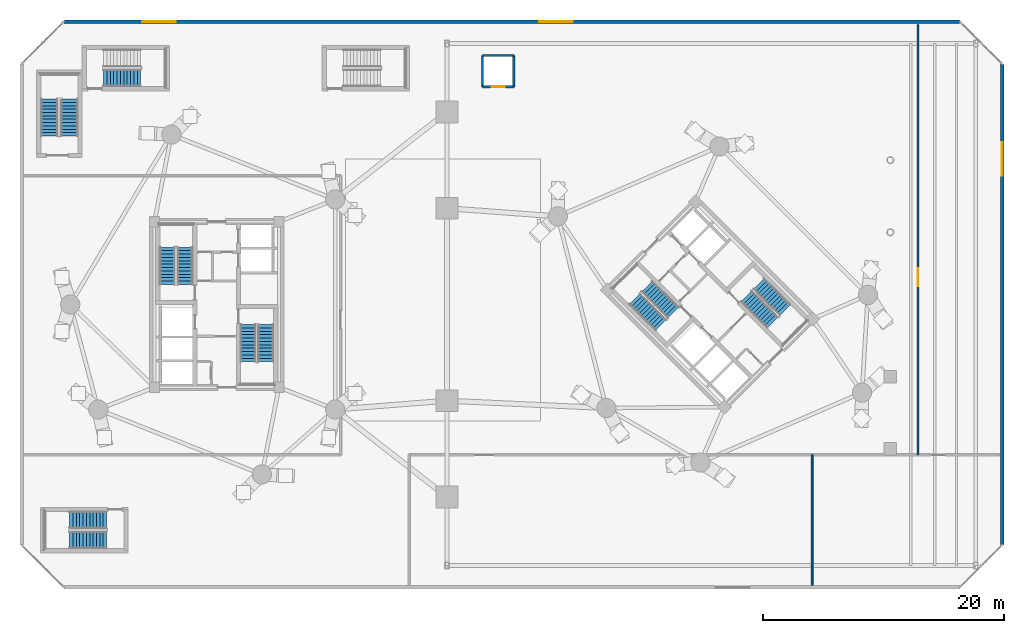
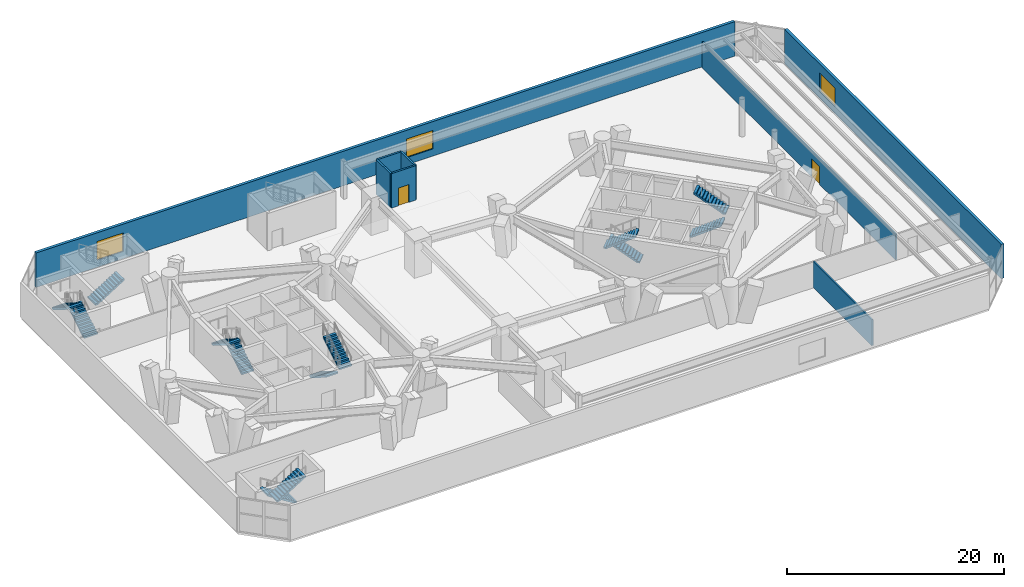
# One storey, part 14 of 20: 13 stair flights, 8 walls, 3 windows, 2 doors, 5 openings, 7 elements without a shape of their own.
"""IFC4 building model written with IfcOpenShell, lengths in metres."""

from ifc_helpers import new_model, si_unit, direction, frame, frame_2d, origin, place, context, subcontext, project, spatial, polyline, rectangle, outline, extrude, source, transform, mapped, material, layer, layer_set, type_object, element, fill, aggregate, save


model = new_model("IFC4")

# Units and contexts
model_context = context("Model", 3, precision=1e-05, world=origin(), true_north=direction((0.0, 1.0)))
body_context = subcontext(model_context, "Body", "Model", "MODEL_VIEW")
ifc_project = project(units=[si_unit("LENGTHUNIT", "METRE"), si_unit("AREAUNIT", "SQUARE_METRE"), si_unit("VOLUMEUNIT", "CUBIC_METRE"), si_unit("PLANEANGLEUNIT", "RADIAN"), si_unit("MASSUNIT", "GRAM", prefix="KILO")], contexts=[model_context])

# Site, building, storey
site_placement = place(None, origin())
site = spatial("IfcSite", under=ifc_project, at=site_placement, CompositionType="ELEMENT")
building_placement = place(site_placement, origin())
building = spatial("IfcBuilding", under=site, at=building_placement, Name="Cununo Teusaquillo Station Towers", CompositionType="ELEMENT")
storey_placement = place(building_placement, frame((0.0, 0.0, 4.800048828125)))
storey = spatial("IfcBuildingStorey", under=building, at=storey_placement, Name="L01", CompositionType="ELEMENT", Elevation=4.800048828125)

# Wall, openings, windows
ifc_material_1 = material(Name="Precast concrete C40/50", Category="concrete")
ifc_layer_1 = layer(ifc_material_1, 0.300048828125)
ifc_layer_set_1 = layer_set([ifc_layer_1], Name="Precast concrete C40/50")
wall_type_1 = type_object("IfcWallType", Name="WL-EXT-300", PredefinedType="SOLIDWALL", material=ifc_layer_set_1)
wall_1_placement = place(storey_placement, frame((3.800048828125, 48.0, 0.0), z_axis=(0.0, 0.0, 1.0), x_axis=(1.0, 0.0, 0.0)))
wall_1 = element("IfcWall", 1, at=wall_1_placement, inside=storey, type_object=wall_type_1, Name="L01 Station Podium Facade Wall 3", PredefinedType="SOLIDWALL", context=body_context, shape_type="SweptSolid", body=[
    extrude(rectangle(XDim=74.5, YDim=0.300048828125, at=frame_2d((37.25, 0.0))), origin(), (0.0, 0.0, 1.0), 3.885009765625),
])
shared_shape_1 = source(origin(), body_context, "Body", "SweptSolid", [
    extrude(rectangle(XDim=2.800048828125, YDim=2.10009765625, at=frame_2d((1.39990234375, 1.050048828125))), frame((0.0, 0.159912109375, 0.0), z_axis=(0.0, -1.0, 0.0), x_axis=(1.0, 0.0, 0.0)), (0.0, 0.0, 1.0), 0.320068359375),
])
opening_1_placement = place(wall_1_placement, frame((6.5, 0.0, 0.800048828125)))
opening_1 = element("IfcOpeningElement", 2, at=opening_1_placement, cuts=wall_1, Name="Opening WN-05", PredefinedType="OPENING", context=body_context, shape_type="MappedRepresentation", body=[
    mapped(shared_shape_1, transform((0.0, 0.0, 0.0), x_axis=(1.0, 0.0, 0.0), y_axis=(0.0, 1.0, 0.0), z_axis=(0.0, 0.0, 1.0), scale=1.0)),
])
opening_2_placement = place(wall_1_placement, frame((39.5, 0.0, 0.800048828125)))
opening_2 = element("IfcOpeningElement", 3, at=opening_2_placement, cuts=wall_1, Name="Opening WN-05", PredefinedType="OPENING", context=body_context, shape_type="MappedRepresentation", body=[
    mapped(shared_shape_1, transform((0.0, 0.0, 0.0), x_axis=(1.0, 0.0, 0.0), y_axis=(0.0, 1.0, 0.0), z_axis=(0.0, 0.0, 1.0), scale=1.0)),
])
ifc_material_2 = material(Name="Laminated acoustic clear low-E glazing", Category="glass")
window_type = type_object("IfcWindowType", Name="WIN-POD-2800", PartitioningType="TRIPLE_PANEL_VERTICAL", PredefinedType="WINDOW", material=ifc_material_2)
shared_shape_2 = source(origin(), body_context, "Body", "SweptSolid", [
    extrude(rectangle(XDim=2.800048828125, YDim=2.10009765625, at=frame_2d((1.39990234375, 1.050048828125))), frame((0.0, 0.030029296875, 0.0), z_axis=(0.0, -1.0, 0.0), x_axis=(1.0, 0.0, 0.0)), (0.0, 0.0, 1.0), 0.06005859375),
])
window_1_placement = place(opening_1_placement, origin())
window_1 = element("IfcWindow", 4, at=window_1_placement, inside=storey, type_object=window_type, Name="L01 Podium Ribbon Window 3.1", OverallHeight=2.10009765625, OverallWidth=2.800048828125, PartitioningType="TRIPLE_PANEL_VERTICAL", PredefinedType="WINDOW", context=body_context, shape_type="MappedRepresentation", body=[
    mapped(shared_shape_2, transform((0.0, 0.0, 0.0), x_axis=(1.0, 0.0, 0.0), y_axis=(0.0, 1.0, 0.0), z_axis=(0.0, 0.0, 1.0), scale=1.0)),
])
fill(opening_1, window_1)
window_2_placement = place(opening_2_placement, origin())
window_2 = element("IfcWindow", 5, at=window_2_placement, inside=storey, type_object=window_type, Name="L01 Podium Ribbon Window 3.4", OverallHeight=2.10009765625, OverallWidth=2.800048828125, PartitioningType="TRIPLE_PANEL_VERTICAL", PredefinedType="WINDOW", context=body_context, shape_type="MappedRepresentation", body=[
    mapped(shared_shape_2, transform((0.0, 0.0, 0.0), x_axis=(1.0, 0.0, 0.0), y_axis=(0.0, 1.0, 0.0), z_axis=(0.0, 0.0, 1.0), scale=1.0)),
])
fill(opening_2, window_2)

# Wall, opening, window
wall_2_placement = place(storey_placement, frame((81.800048828125, 44.5, 0.0), z_axis=(0.0, 0.0, 1.0), x_axis=(0.0, -1.0, 0.0)))
wall_2 = element("IfcWall", 6, at=wall_2_placement, inside=storey, type_object=wall_type_1, Name="L01 Station Podium Facade Wall 5", PredefinedType="SOLIDWALL", context=body_context, shape_type="SweptSolid", body=[
    extrude(rectangle(XDim=40.0, YDim=0.300048828125, at=frame_2d((20.0, 0.0))), origin(), (0.0, 0.0, 1.0), 3.885009765625),
])
opening_3_placement = place(wall_2_placement, frame((6.5, 0.0, 0.800048828125)))
opening_3 = element("IfcOpeningElement", 7, at=opening_3_placement, cuts=wall_2, Name="Opening WN-05", PredefinedType="OPENING", context=body_context, shape_type="MappedRepresentation", body=[
    mapped(shared_shape_1, transform((0.0, 0.0, 0.0), x_axis=(1.0, 0.0, 0.0), y_axis=(0.0, 1.0, 0.0), z_axis=(0.0, 0.0, 1.0), scale=1.0)),
])
window_3_placement = place(opening_3_placement, origin())
window_3 = element("IfcWindow", 8, at=window_3_placement, inside=storey, type_object=window_type, Name="L01 Podium Ribbon Window 5.1", OverallHeight=2.10009765625, OverallWidth=2.800048828125, PartitioningType="TRIPLE_PANEL_VERTICAL", PredefinedType="WINDOW", context=body_context, shape_type="MappedRepresentation", body=[
    mapped(shared_shape_2, transform((0.0, 0.0, 0.0), x_axis=(1.0, 0.0, 0.0), y_axis=(0.0, 1.0, 0.0), z_axis=(0.0, 0.0, 1.0), scale=1.0)),
])
fill(opening_3, window_3)

# Wall, opening, door
ifc_material_3 = material(Name="Fire-rated gypsum plasterboard partition assembly", Category="gypsum")
ifc_layer_2 = layer(ifc_material_3, 0.159912109375)
ifc_layer_set_2 = layer_set([ifc_layer_2], Name="Fire-rated gypsum plasterboard partition assembly")
wall_type_2 = type_object("IfcWallType", Name="WL-PART-160", PredefinedType="PARTITIONING", material=ifc_layer_set_2)
wall_3_placement = place(storey_placement, frame((74.800048828125, 12.0, 0.0), z_axis=(0.0, 0.0, 1.0), x_axis=(0.0, 1.0, 0.0)))
wall_3 = element("IfcWall", 9, at=wall_3_placement, inside=storey, type_object=wall_type_2, Name="L01 Station Gallery East Wing Wall", PredefinedType="PARTITIONING", context=body_context, shape_type="SweptSolid", body=[
    extrude(rectangle(XDim=35.75, YDim=0.159912109375, at=frame_2d((17.875, 0.0))), origin(), (0.0, 0.0, 1.0), 2.928955078125),
])
shared_shape_3 = source(origin(), body_context, "Body", "SweptSolid", [
    extrude(rectangle(XDim=1.5, YDim=2.02001953125, at=frame_2d((0.75, 1.010009765625))), frame((0.0, 0.08984375, 0.0), z_axis=(0.0, -1.0, 0.0), x_axis=(1.0, 0.0, 0.0)), (0.0, 0.0, 1.0), 0.179931640625),
])
opening_4_placement = place(wall_3_placement, frame((14.0, 0.0, 0.0)))
opening_4 = element("IfcOpeningElement", 10, at=opening_4_placement, cuts=wall_3, Name="Opening D-LB1", PredefinedType="OPENING", context=body_context, shape_type="MappedRepresentation", body=[
    mapped(shared_shape_3, transform((0.0, 0.0, 0.0), x_axis=(1.0, 0.0, 0.0), y_axis=(0.0, 1.0, 0.0), z_axis=(0.0, 0.0, 1.0), scale=1.0)),
])
ifc_material_4 = material(Name="Galvanised fire-rated hollow steel door assembly", Category="steel")
door_type_1 = type_object("IfcDoorType", Name="DR-LOBBY-1500", OperationType="DOUBLE_DOOR_SINGLE_SWING", PredefinedType="DOOR", material=ifc_material_4)
shared_shape_4 = source(origin(), body_context, "Body", "SweptSolid", [
    extrude(rectangle(XDim=1.5, YDim=2.02001953125, at=frame_2d((0.75, 1.010009765625))), frame((0.0, 0.02490234375, 0.0), z_axis=(0.0, -1.0, 0.0), x_axis=(1.0, 0.0, 0.0)), (0.0, 0.0, 1.0), 0.050048828125),
])
door_1_placement = place(opening_4_placement, origin())
door_1 = element("IfcDoor", 11, at=door_1_placement, inside=storey, type_object=door_type_1, Name="L01 East Wing Door", OperationType="DOUBLE_DOOR_SINGLE_SWING", OverallHeight=2.02001953125, OverallWidth=1.5, PredefinedType="DOOR", context=body_context, shape_type="MappedRepresentation", body=[
    mapped(shared_shape_4, transform((0.0, 0.0, 0.0), x_axis=(1.0, 0.0, 0.0), y_axis=(0.0, 1.0, 0.0), z_axis=(0.0, 0.0, 1.0), scale=1.0)),
])
fill(opening_4, door_1)

# Wall
wall_4_placement = place(storey_placement, frame((66.0, 1.14990234375, 0.0), z_axis=(0.0, 0.0, 1.0), x_axis=(0.0, 1.0, 0.0)))
element("IfcWall", 12, at=wall_4_placement, inside=storey, type_object=wall_type_2, Name="L01 Public Restroom Divider Wall", PredefinedType="PARTITIONING", context=body_context, shape_type="SweptSolid", body=[
    extrude(rectangle(XDim=10.85009765625, YDim=0.159912109375, at=frame_2d((5.425048828125, 0.0))), origin(), (0.0, 0.0, 1.0), 2.928955078125),
])

# Wall, opening, door
ifc_material_5 = material(Name="Fire-rated gypsum plasterboard partition assembly", Category="gypsum")
ifc_layer_3 = layer(ifc_material_5, 0.199951171875)
ifc_layer_set_3 = layer_set([ifc_layer_3], Name="Fire-rated gypsum plasterboard partition assembly")
wall_type_3 = type_object("IfcWallType", Name="WL-PART-200", PredefinedType="PARTITIONING", material=ifc_layer_set_3)
wall_5_placement = place(storey_placement, frame((38.60009765625, 42.60009765625, 0.0), z_axis=(0.0, 0.0, 1.0), x_axis=(1.0, 0.0, 0.0)))
wall_5 = element("IfcWall", 13, at=wall_5_placement, inside=storey, type_object=wall_type_3, Name="L01 Podium Lift Shaft Enclosure Wall S", PredefinedType="PARTITIONING", context=body_context, shape_type="SweptSolid", body=[
    extrude(rectangle(XDim=2.599853515625, YDim=0.199951171875, at=frame_2d((1.2998046875, 0.0))), origin(), (0.0, 0.0, 1.0), 3.885009765625),
])
shared_shape_5 = source(origin(), body_context, "Body", "SweptSolid", [
    extrude(rectangle(XDim=1.10009765625, YDim=2.014892578125, at=frame_2d((0.550048828125, 1.00732421875))), frame((0.0, 0.10986328125, 0.0), z_axis=(0.0, -1.0, 0.0), x_axis=(1.0, 0.0, 0.0)), (0.0, 0.0, 1.0), 0.219970703125),
])
opening_5_placement = place(wall_5_placement, frame((0.75, 0.0, 0.0)))
opening_5 = element("IfcOpeningElement", 14, at=opening_5_placement, cuts=wall_5, Name="Opening LD-01", PredefinedType="OPENING", context=body_context, shape_type="MappedRepresentation", body=[
    mapped(shared_shape_5, transform((0.0, 0.0, 0.0), x_axis=(1.0, 0.0, 0.0), y_axis=(0.0, 1.0, 0.0), z_axis=(0.0, 0.0, 1.0), scale=1.0)),
])
ifc_material_6 = material(Name="Galvanised fire-rated hollow steel door assembly", Category="steel")
door_type_2 = type_object("IfcDoorType", Name="DR-LIFT-1100", OperationType="SLIDING_TO_LEFT", PredefinedType="DOOR", material=ifc_material_6)
shared_shape_6 = source(origin(), body_context, "Body", "SweptSolid", [
    extrude(rectangle(XDim=1.10009765625, YDim=2.014892578125, at=frame_2d((0.550048828125, 1.00732421875))), frame((0.0, 0.02490234375, 0.0), z_axis=(0.0, -1.0, 0.0), x_axis=(1.0, 0.0, 0.0)), (0.0, 0.0, 1.0), 0.050048828125),
])
door_2_placement = place(opening_5_placement, origin())
door_2 = element("IfcDoor", 15, at=door_2_placement, inside=storey, type_object=door_type_2, Name="L01 Lift PL-POD1 Sliding Landing Door", OperationType="SLIDING_TO_RIGHT", OverallHeight=2.014892578125, OverallWidth=1.10009765625, PredefinedType="DOOR", context=body_context, shape_type="MappedRepresentation", body=[
    mapped(shared_shape_6, transform((0.0, 0.0, 0.0), x_axis=(1.0, 0.0, 0.0), y_axis=(0.0, 1.0, 0.0), z_axis=(0.0, 0.0, 1.0), scale=1.0)),
])
fill(opening_5, door_2)

# Walls
for number, where, z_axis, x_axis, name in (
    (16, (38.60009765625, 45.199951171875, 0.0), (0.0, 0.0, 1.0), (1.0, 0.0, 0.0), "L01 Podium Lift Shaft Enclosure Wall N"),
    (17, (38.60009765625, 42.60009765625, 0.0), (0.0, 0.0, 1.0), (0.0, 1.0, 0.0), "L01 Podium Lift Shaft Enclosure Wall W"),
    (18, (41.199951171875, 42.60009765625, 0.0), (0.0, 0.0, 1.0), (0.0, 1.0, 0.0), "L01 Podium Lift Shaft Enclosure Wall E"),
):
    element("IfcWall", number, at=place(storey_placement, frame(where, z_axis=z_axis, x_axis=x_axis)), inside=storey, type_object=wall_type_3, Name=name, PredefinedType="PARTITIONING", context=body_context, shape_type="SweptSolid", body=[
        extrude(rectangle(XDim=2.599853515625, YDim=0.199951171875, at=frame_2d((1.2998046875, 0.0))), origin(), (0.0, 0.0, 1.0), 3.885009765625),
    ])

# Stair, stair flights
ifc_material_7 = material(Name="Concrete C50/60", Category="concrete")
stair_type_1 = type_object("IfcStairType", Name="ST-POD-1450", PredefinedType="HALF_TURN_STAIR", material=ifc_material_7)
stair_1_placement = place(storey_placement, origin())
stair_1 = element("IfcStair", 19, at=stair_1_placement, inside=storey, type_object=stair_type_1, Name="L01 Station Podium South Protected Exit Stair", PredefinedType="HALF_TURN_STAIR")
ifc_material_8 = material(Name="Concrete C50/60", Category="concrete")
stair_flight_type_1 = type_object("IfcStairFlightType", Name="SFL-POD-1450", PredefinedType="STRAIGHT", material=ifc_material_8)
stair_flight_1_placement = place(storey_placement, frame((7.35009765625, 6.574951171875, 0.0), z_axis=(0.0, 0.0, 1.0), x_axis=(-1.0, 0.0, 0.0)))
stair_flight_1 = element("IfcStairFlight", 20, at=stair_flight_1_placement, type_object=stair_flight_type_1, Name="ST-POD-S flight 1", NumberOfRisers=12, NumberOfTreads=11, PredefinedType="STRAIGHT", RiserHeight=0.175, TreadLength=0.28, context=body_context, shape_type="SweptSolid", body=[
    extrude(outline(polyline([(0.0, 0.0), (0.0, 0.175048828125), (0.280029296875, 0.175048828125), (0.280029296875, 0.35009765625), (0.56005859375, 0.35009765625), (0.56005859375, 0.52490234375), (0.840087890625, 0.52490234375), (0.840087890625, 0.699951171875), (1.1201171875, 0.699951171875), (1.1201171875, 0.875), (1.39990234375, 0.875), (1.39990234375, 1.050048828125), (1.679931640625, 1.050048828125), (1.679931640625, 1.22509765625), (1.9599609375, 1.22509765625), (1.9599609375, 1.39990234375), (2.239990234375, 1.39990234375), (2.239990234375, 1.574951171875), (2.52001953125, 1.574951171875), (2.52001953125, 1.75), (2.800048828125, 1.75), (2.800048828125, 1.925048828125), (3.080078125, 1.925048828125), (3.080078125, 2.10009765625), (3.080078125, 1.748291015625), (0.28271484375, 0.0), (0.0, 0.0)])), frame((0.0, 0.72509765625, 0.0), z_axis=(0.0, -1.0, 0.0), x_axis=(1.0, 0.0, 0.0)), (0.0, 0.0, 1.0), 1.449951171875),
])
stair_flight_2_placement = place(storey_placement, frame((4.27001953125, 4.925048828125, 2.099853515625), z_axis=(0.0, 0.0, 1.0), x_axis=(1.0, 0.0, 0.0)))
stair_flight_2 = element("IfcStairFlight", 21, at=stair_flight_2_placement, type_object=stair_flight_type_1, Name="ST-POD-S flight 2", NumberOfRisers=12, NumberOfTreads=11, PredefinedType="STRAIGHT", RiserHeight=0.175, TreadLength=0.28, context=body_context, shape_type="SweptSolid", body=[
    extrude(outline(polyline([(0.0, 0.0), (0.0, 0.175048828125), (0.280029296875, 0.175048828125), (0.280029296875, 0.35009765625), (0.56005859375, 0.35009765625), (0.56005859375, 0.52490234375), (0.840087890625, 0.52490234375), (0.840087890625, 0.699951171875), (1.1201171875, 0.699951171875), (1.1201171875, 0.875), (1.39990234375, 0.875), (1.39990234375, 1.050048828125), (1.679931640625, 1.050048828125), (1.679931640625, 1.22509765625), (1.9599609375, 1.22509765625), (1.9599609375, 1.39990234375), (2.239990234375, 1.39990234375), (2.239990234375, 1.574951171875), (2.52001953125, 1.574951171875), (2.52001953125, 1.75), (2.800048828125, 1.75), (2.800048828125, 1.925048828125), (3.080078125, 1.925048828125), (3.080078125, 2.10009765625), (3.080078125, 1.748291015625), (0.28271484375, 0.0), (0.0, 0.0)])), frame((0.0, 0.72509765625, 0.0), z_axis=(0.0, -1.0, 0.0), x_axis=(1.0, 0.0, 0.0)), (0.0, 0.0, 1.0), 1.449951171875),
])
aggregate(stair_1, [stair_flight_1, stair_flight_2])

stair_2_placement = place(storey_placement, origin())
stair_2 = element("IfcStair", 22, at=stair_2_placement, inside=storey, type_object=stair_type_1, Name="L01 Station Podium West Protected Exit Stair", PredefinedType="HALF_TURN_STAIR")
stair_flight_3_placement = place(storey_placement, frame((4.2548828125, 38.5, 0.0), z_axis=(0.0, 0.0, 1.0), x_axis=(0.0, 1.0, 0.0)))
stair_flight_3 = element("IfcStairFlight", 23, at=stair_flight_3_placement, type_object=stair_flight_type_1, Name="ST-POD-W flight 1", NumberOfRisers=12, NumberOfTreads=11, PredefinedType="STRAIGHT", RiserHeight=0.175, TreadLength=0.28, context=body_context, shape_type="SweptSolid", body=[
    extrude(outline(polyline([(0.0, 0.0), (0.0, 0.175048828125), (0.280029296875, 0.175048828125), (0.280029296875, 0.35009765625), (0.56005859375, 0.35009765625), (0.56005859375, 0.52490234375), (0.840087890625, 0.52490234375), (0.840087890625, 0.699951171875), (1.1201171875, 0.699951171875), (1.1201171875, 0.875), (1.39990234375, 0.875), (1.39990234375, 1.050048828125), (1.679931640625, 1.050048828125), (1.679931640625, 1.22509765625), (1.9599609375, 1.22509765625), (1.9599609375, 1.39990234375), (2.239990234375, 1.39990234375), (2.239990234375, 1.574951171875), (2.52001953125, 1.574951171875), (2.52001953125, 1.75), (2.800048828125, 1.75), (2.800048828125, 1.925048828125), (3.080078125, 1.925048828125), (3.080078125, 2.10009765625), (3.080078125, 1.748291015625), (0.28271484375, 0.0), (0.0, 0.0)])), frame((0.0, 0.72509765625, 0.0), z_axis=(0.0, -1.0, 0.0), x_axis=(1.0, 0.0, 0.0)), (0.0, 0.0, 1.0), 1.449951171875),
])
stair_flight_4_placement = place(storey_placement, frame((2.60498046875, 41.580078125, 2.099853515625), z_axis=(0.0, 0.0, 1.0), x_axis=(0.0, -1.0, 0.0)))
stair_flight_4 = element("IfcStairFlight", 24, at=stair_flight_4_placement, type_object=stair_flight_type_1, Name="ST-POD-W flight 2", NumberOfRisers=12, NumberOfTreads=11, PredefinedType="STRAIGHT", RiserHeight=0.175, TreadLength=0.28, context=body_context, shape_type="SweptSolid", body=[
    extrude(outline(polyline([(0.0, 0.0), (0.0, 0.175048828125), (0.280029296875, 0.175048828125), (0.280029296875, 0.35009765625), (0.56005859375, 0.35009765625), (0.56005859375, 0.52490234375), (0.840087890625, 0.52490234375), (0.840087890625, 0.699951171875), (1.1201171875, 0.699951171875), (1.1201171875, 0.875), (1.39990234375, 0.875), (1.39990234375, 1.050048828125), (1.679931640625, 1.050048828125), (1.679931640625, 1.22509765625), (1.9599609375, 1.22509765625), (1.9599609375, 1.39990234375), (2.239990234375, 1.39990234375), (2.239990234375, 1.574951171875), (2.52001953125, 1.574951171875), (2.52001953125, 1.75), (2.800048828125, 1.75), (2.800048828125, 1.925048828125), (3.080078125, 1.925048828125), (3.080078125, 2.10009765625), (3.080078125, 1.748291015625), (0.28271484375, 0.0), (0.0, 0.0)])), frame((0.0, 0.72509765625, 0.0), z_axis=(0.0, -1.0, 0.0), x_axis=(1.0, 0.0, 0.0)), (0.0, 0.0, 1.0), 1.449951171875),
])
aggregate(stair_2, [stair_flight_3, stair_flight_4])

# Stair, stair flight
stair_3_placement = place(storey_placement, origin())
stair_3 = element("IfcStair", 25, at=stair_3_placement, inside=storey, type_object=stair_type_1, Name="L01 Station Podium North-West Protected Exit Stair", PredefinedType="HALF_TURN_STAIR")
stair_flight_5_placement = place(storey_placement, frame((7.10009765625, 43.324951171875, 0.0), z_axis=(0.0, 0.0, 1.0), x_axis=(1.0, 0.0, 0.0)))
stair_flight_5 = element("IfcStairFlight", 26, at=stair_flight_5_placement, type_object=stair_flight_type_1, Name="ST-POD-C flight 1", NumberOfRisers=12, NumberOfTreads=11, PredefinedType="STRAIGHT", RiserHeight=0.175, TreadLength=0.28, context=body_context, shape_type="SweptSolid", body=[
    extrude(outline(polyline([(0.0, 0.0), (0.0, 0.175048828125), (0.280029296875, 0.175048828125), (0.280029296875, 0.35009765625), (0.56005859375, 0.35009765625), (0.56005859375, 0.52490234375), (0.840087890625, 0.52490234375), (0.840087890625, 0.699951171875), (1.1201171875, 0.699951171875), (1.1201171875, 0.875), (1.39990234375, 0.875), (1.39990234375, 1.050048828125), (1.679931640625, 1.050048828125), (1.679931640625, 1.22509765625), (1.9599609375, 1.22509765625), (1.9599609375, 1.39990234375), (2.239990234375, 1.39990234375), (2.239990234375, 1.574951171875), (2.52001953125, 1.574951171875), (2.52001953125, 1.75), (2.800048828125, 1.75), (2.800048828125, 1.925048828125), (3.080078125, 1.925048828125), (3.080078125, 2.10009765625), (3.080078125, 1.748291015625), (0.28271484375, 0.0), (0.0, 0.0)])), frame((0.0, 0.72509765625, 0.0), z_axis=(0.0, -1.0, 0.0), x_axis=(1.0, 0.0, 0.0)), (0.0, 0.0, 1.0), 1.449951171875),
])
aggregate(stair_3, [stair_flight_5])

# Stair, stair flights
ifc_material_9 = material(Name="Concrete C50/60", Category="concrete")
stair_type_2 = type_object("IfcStairType", Name="ST-TWR-1300", PredefinedType="HALF_TURN_STAIR", material=ifc_material_9)
stair_4_placement = place(storey_placement, origin())
stair_4 = element("IfcStair", 27, at=stair_4_placement, inside=storey, type_object=stair_type_2, Name="L01 Tower A Protected Core Exit Stair 1", PredefinedType="HALF_TURN_STAIR")
ifc_material_10 = material(Name="Concrete C50/60", Category="concrete")
stair_flight_type_2 = type_object("IfcStairFlightType", Name="SFL-TWR-1300", PredefinedType="STRAIGHT", material=ifc_material_10)
stair_flight_6_placement = place(storey_placement, frame((13.8701171875, 26.169921875, 0.0), z_axis=(0.0, 0.0, 1.0), x_axis=(0.0, 1.0, 0.0)))
stair_flight_6 = element("IfcStairFlight", 28, at=stair_flight_6_placement, type_object=stair_flight_type_2, Name="ST-T1-1 flight 1", NumberOfRisers=12, NumberOfTreads=11, PredefinedType="STRAIGHT", RiserHeight=0.175, TreadLength=0.28, context=body_context, shape_type="SweptSolid", body=[
    extrude(outline(polyline([(0.0, 0.0), (0.0, 0.175048828125), (0.280029296875, 0.175048828125), (0.280029296875, 0.35009765625), (0.56005859375, 0.35009765625), (0.56005859375, 0.52490234375), (0.840087890625, 0.52490234375), (0.840087890625, 0.699951171875), (1.1201171875, 0.699951171875), (1.1201171875, 0.875), (1.39990234375, 0.875), (1.39990234375, 1.050048828125), (1.679931640625, 1.050048828125), (1.679931640625, 1.22509765625), (1.9599609375, 1.22509765625), (1.9599609375, 1.39990234375), (2.239990234375, 1.39990234375), (2.239990234375, 1.574951171875), (2.52001953125, 1.574951171875), (2.52001953125, 1.75), (2.800048828125, 1.75), (2.800048828125, 1.925048828125), (3.080078125, 1.925048828125), (3.080078125, 2.10009765625), (3.080078125, 1.748291015625), (0.28271484375, 0.0), (0.0, 0.0)])), frame((0.0, 0.64990234375, 0.0), z_axis=(0.0, -1.0, 0.0), x_axis=(1.0, 0.0, 0.0)), (0.0, 0.0, 1.0), 1.300048828125),
])
stair_flight_7_placement = place(storey_placement, frame((12.409912109375, 29.25, 2.099853515625), z_axis=(0.0, 0.0, 1.0), x_axis=(0.0, -1.0, 0.0)))
stair_flight_7 = element("IfcStairFlight", 29, at=stair_flight_7_placement, type_object=stair_flight_type_2, Name="ST-T1-1 flight 2", NumberOfRisers=12, NumberOfTreads=11, PredefinedType="STRAIGHT", RiserHeight=0.175, TreadLength=0.28, context=body_context, shape_type="SweptSolid", body=[
    extrude(outline(polyline([(0.0, 0.0), (0.0, 0.175048828125), (0.280029296875, 0.175048828125), (0.280029296875, 0.35009765625), (0.56005859375, 0.35009765625), (0.56005859375, 0.52490234375), (0.840087890625, 0.52490234375), (0.840087890625, 0.699951171875), (1.1201171875, 0.699951171875), (1.1201171875, 0.875), (1.39990234375, 0.875), (1.39990234375, 1.050048828125), (1.679931640625, 1.050048828125), (1.679931640625, 1.22509765625), (1.9599609375, 1.22509765625), (1.9599609375, 1.39990234375), (2.239990234375, 1.39990234375), (2.239990234375, 1.574951171875), (2.52001953125, 1.574951171875), (2.52001953125, 1.75), (2.800048828125, 1.75), (2.800048828125, 1.925048828125), (3.080078125, 1.925048828125), (3.080078125, 2.10009765625), (3.080078125, 1.748291015625), (0.28271484375, 0.0), (0.0, 0.0)])), frame((0.0, 0.64990234375, 0.0), z_axis=(0.0, -1.0, 0.0), x_axis=(1.0, 0.0, 0.0)), (0.0, 0.0, 1.0), 1.300048828125),
])
aggregate(stair_4, [stair_flight_6, stair_flight_7])

stair_5_placement = place(storey_placement, origin())
stair_5 = element("IfcStair", 30, at=stair_5_placement, inside=storey, type_object=stair_type_2, Name="L01 Tower A Protected Core Exit Stair 2", PredefinedType="HALF_TURN_STAIR")
stair_flight_8_placement = place(storey_placement, frame((19.1298828125, 22.830078125, 0.0), z_axis=(0.0, 0.0, 1.0), x_axis=(0.0, -1.0, 0.0)))
stair_flight_8 = element("IfcStairFlight", 31, at=stair_flight_8_placement, type_object=stair_flight_type_2, Name="ST-T1-2 flight 1", NumberOfRisers=12, NumberOfTreads=11, PredefinedType="STRAIGHT", RiserHeight=0.175, TreadLength=0.28, context=body_context, shape_type="SweptSolid", body=[
    extrude(outline(polyline([(0.0, 0.0), (0.0, 0.175048828125), (0.280029296875, 0.175048828125), (0.280029296875, 0.35009765625), (0.56005859375, 0.35009765625), (0.56005859375, 0.52490234375), (0.840087890625, 0.52490234375), (0.840087890625, 0.699951171875), (1.1201171875, 0.699951171875), (1.1201171875, 0.875), (1.39990234375, 0.875), (1.39990234375, 1.050048828125), (1.679931640625, 1.050048828125), (1.679931640625, 1.22509765625), (1.9599609375, 1.22509765625), (1.9599609375, 1.39990234375), (2.239990234375, 1.39990234375), (2.239990234375, 1.574951171875), (2.52001953125, 1.574951171875), (2.52001953125, 1.75), (2.800048828125, 1.75), (2.800048828125, 1.925048828125), (3.080078125, 1.925048828125), (3.080078125, 2.10009765625), (3.080078125, 1.748291015625), (0.28271484375, 0.0), (0.0, 0.0)])), frame((0.0, 0.64990234375, 0.0), z_axis=(0.0, -1.0, 0.0), x_axis=(1.0, 0.0, 0.0)), (0.0, 0.0, 1.0), 1.300048828125),
])
stair_flight_9_placement = place(storey_placement, frame((20.590087890625, 19.75, 2.099853515625), z_axis=(0.0, 0.0, 1.0), x_axis=(0.0, 1.0, 0.0)))
stair_flight_9 = element("IfcStairFlight", 32, at=stair_flight_9_placement, type_object=stair_flight_type_2, Name="ST-T1-2 flight 2", NumberOfRisers=12, NumberOfTreads=11, PredefinedType="STRAIGHT", RiserHeight=0.175, TreadLength=0.28, context=body_context, shape_type="SweptSolid", body=[
    extrude(outline(polyline([(0.0, 0.0), (0.0, 0.175048828125), (0.280029296875, 0.175048828125), (0.280029296875, 0.35009765625), (0.56005859375, 0.35009765625), (0.56005859375, 0.52490234375), (0.840087890625, 0.52490234375), (0.840087890625, 0.699951171875), (1.1201171875, 0.699951171875), (1.1201171875, 0.875), (1.39990234375, 0.875), (1.39990234375, 1.050048828125), (1.679931640625, 1.050048828125), (1.679931640625, 1.22509765625), (1.9599609375, 1.22509765625), (1.9599609375, 1.39990234375), (2.239990234375, 1.39990234375), (2.239990234375, 1.574951171875), (2.52001953125, 1.574951171875), (2.52001953125, 1.75), (2.800048828125, 1.75), (2.800048828125, 1.925048828125), (3.080078125, 1.925048828125), (3.080078125, 2.10009765625), (3.080078125, 1.748291015625), (0.28271484375, 0.0), (0.0, 0.0)])), frame((0.0, 0.64990234375, 0.0), z_axis=(0.0, -1.0, 0.0), x_axis=(1.0, 0.0, 0.0)), (0.0, 0.0, 1.0), 1.300048828125),
])
aggregate(stair_5, [stair_flight_8, stair_flight_9])

stair_6_placement = place(storey_placement, origin())
stair_6 = element("IfcStair", 33, at=stair_6_placement, inside=storey, type_object=stair_type_2, Name="L01 Tower B Protected Core Exit Stair 1", PredefinedType="HALF_TURN_STAIR")
stair_flight_10_placement = place(storey_placement, frame((54.45947265625, 23.8212890625, 0.0), z_axis=(0.0, 0.0, 1.0), x_axis=(-0.707106781187, 0.707106781187, 0.0)))
stair_flight_10 = element("IfcStairFlight", 34, at=stair_flight_10_placement, type_object=stair_flight_type_2, Name="ST-T2-1 flight 1", NumberOfRisers=12, NumberOfTreads=11, PredefinedType="STRAIGHT", RiserHeight=0.175, TreadLength=0.28, context=body_context, shape_type="SweptSolid", body=[
    extrude(outline(polyline([(0.0, 0.0), (0.0, 0.175048828125), (0.280029296875, 0.175048828125), (0.280029296875, 0.35009765625), (0.56005859375, 0.35009765625), (0.56005859375, 0.52490234375), (0.840087890625, 0.52490234375), (0.840087890625, 0.699951171875), (1.1201171875, 0.699951171875), (1.1201171875, 0.875), (1.39990234375, 0.875), (1.39990234375, 1.050048828125), (1.679931640625, 1.050048828125), (1.679931640625, 1.22509765625), (1.9599609375, 1.22509765625), (1.9599609375, 1.39990234375), (2.239990234375, 1.39990234375), (2.239990234375, 1.574951171875), (2.52001953125, 1.574951171875), (2.52001953125, 1.75), (2.800048828125, 1.75), (2.800048828125, 1.925048828125), (3.080078125, 1.925048828125), (3.080078125, 2.10009765625), (3.080078125, 1.748291015625), (0.28271484375, 0.0), (0.0, 0.0)])), frame((0.0, 0.64990234375, 0.0), z_axis=(0.0, -1.0, 0.0), x_axis=(1.0, 0.0, 0.0)), (0.0, 0.0, 1.0), 1.300048828125),
])
stair_flight_11_placement = place(storey_placement, frame((51.249267578125, 24.966796875, 2.099853515625), z_axis=(0.0, 0.0, 1.0), x_axis=(0.707106781187, -0.707106781187, 0.0)))
stair_flight_11 = element("IfcStairFlight", 35, at=stair_flight_11_placement, type_object=stair_flight_type_2, Name="ST-T2-1 flight 2", NumberOfRisers=12, NumberOfTreads=11, PredefinedType="STRAIGHT", RiserHeight=0.175, TreadLength=0.28, context=body_context, shape_type="SweptSolid", body=[
    extrude(outline(polyline([(0.0, 0.0), (0.0, 0.175048828125), (0.280029296875, 0.175048828125), (0.280029296875, 0.35009765625), (0.56005859375, 0.35009765625), (0.56005859375, 0.52490234375), (0.840087890625, 0.52490234375), (0.840087890625, 0.699951171875), (1.1201171875, 0.699951171875), (1.1201171875, 0.875), (1.39990234375, 0.875), (1.39990234375, 1.050048828125), (1.679931640625, 1.050048828125), (1.679931640625, 1.22509765625), (1.9599609375, 1.22509765625), (1.9599609375, 1.39990234375), (2.239990234375, 1.39990234375), (2.239990234375, 1.574951171875), (2.52001953125, 1.574951171875), (2.52001953125, 1.75), (2.800048828125, 1.75), (2.800048828125, 1.925048828125), (3.080078125, 1.925048828125), (3.080078125, 2.10009765625), (3.080078125, 1.748291015625), (0.28271484375, 0.0), (0.0, 0.0)])), frame((0.0, 0.64990234375, 0.0), z_axis=(0.0, -1.0, 0.0), x_axis=(1.0, 0.0, 0.0)), (0.0, 0.0, 1.0), 1.300048828125),
])
aggregate(stair_6, [stair_flight_10, stair_flight_11])

stair_7_placement = place(storey_placement, origin())
stair_7 = element("IfcStair", 36, at=stair_7_placement, inside=storey, type_object=stair_type_2, Name="L01 Tower B Protected Core Exit Stair 2", PredefinedType="HALF_TURN_STAIR")
stair_flight_12_placement = place(storey_placement, frame((60.54052734375, 25.1787109375, 0.0), z_axis=(0.0, 0.0, 1.0), x_axis=(0.707106781187, -0.707106781187, 0.0)))
stair_flight_12 = element("IfcStairFlight", 37, at=stair_flight_12_placement, type_object=stair_flight_type_2, Name="ST-T2-2 flight 1", NumberOfRisers=12, NumberOfTreads=11, PredefinedType="STRAIGHT", RiserHeight=0.175, TreadLength=0.28, context=body_context, shape_type="SweptSolid", body=[
    extrude(outline(polyline([(0.0, 0.0), (0.0, 0.175048828125), (0.280029296875, 0.175048828125), (0.280029296875, 0.35009765625), (0.56005859375, 0.35009765625), (0.56005859375, 0.52490234375), (0.840087890625, 0.52490234375), (0.840087890625, 0.699951171875), (1.1201171875, 0.699951171875), (1.1201171875, 0.875), (1.39990234375, 0.875), (1.39990234375, 1.050048828125), (1.679931640625, 1.050048828125), (1.679931640625, 1.22509765625), (1.9599609375, 1.22509765625), (1.9599609375, 1.39990234375), (2.239990234375, 1.39990234375), (2.239990234375, 1.574951171875), (2.52001953125, 1.574951171875), (2.52001953125, 1.75), (2.800048828125, 1.75), (2.800048828125, 1.925048828125), (3.080078125, 1.925048828125), (3.080078125, 2.10009765625), (3.080078125, 1.748291015625), (0.28271484375, 0.0), (0.0, 0.0)])), frame((0.0, 0.64990234375, 0.0), z_axis=(0.0, -1.0, 0.0), x_axis=(1.0, 0.0, 0.0)), (0.0, 0.0, 1.0), 1.300048828125),
])
stair_flight_13_placement = place(storey_placement, frame((63.750732421875, 24.033203125, 2.099853515625), z_axis=(0.0, 0.0, 1.0), x_axis=(-0.707106781187, 0.707106781187, 0.0)))
stair_flight_13 = element("IfcStairFlight", 38, at=stair_flight_13_placement, type_object=stair_flight_type_2, Name="ST-T2-2 flight 2", NumberOfRisers=12, NumberOfTreads=11, PredefinedType="STRAIGHT", RiserHeight=0.175, TreadLength=0.28, context=body_context, shape_type="SweptSolid", body=[
    extrude(outline(polyline([(0.0, 0.0), (0.0, 0.175048828125), (0.280029296875, 0.175048828125), (0.280029296875, 0.35009765625), (0.56005859375, 0.35009765625), (0.56005859375, 0.52490234375), (0.840087890625, 0.52490234375), (0.840087890625, 0.699951171875), (1.1201171875, 0.699951171875), (1.1201171875, 0.875), (1.39990234375, 0.875), (1.39990234375, 1.050048828125), (1.679931640625, 1.050048828125), (1.679931640625, 1.22509765625), (1.9599609375, 1.22509765625), (1.9599609375, 1.39990234375), (2.239990234375, 1.39990234375), (2.239990234375, 1.574951171875), (2.52001953125, 1.574951171875), (2.52001953125, 1.75), (2.800048828125, 1.75), (2.800048828125, 1.925048828125), (3.080078125, 1.925048828125), (3.080078125, 2.10009765625), (3.080078125, 1.748291015625), (0.28271484375, 0.0), (0.0, 0.0)])), frame((0.0, 0.64990234375, 0.0), z_axis=(0.0, -1.0, 0.0), x_axis=(1.0, 0.0, 0.0)), (0.0, 0.0, 1.0), 1.300048828125),
])
aggregate(stair_7, [stair_flight_12, stair_flight_13])

save(model, "model.ifc")
